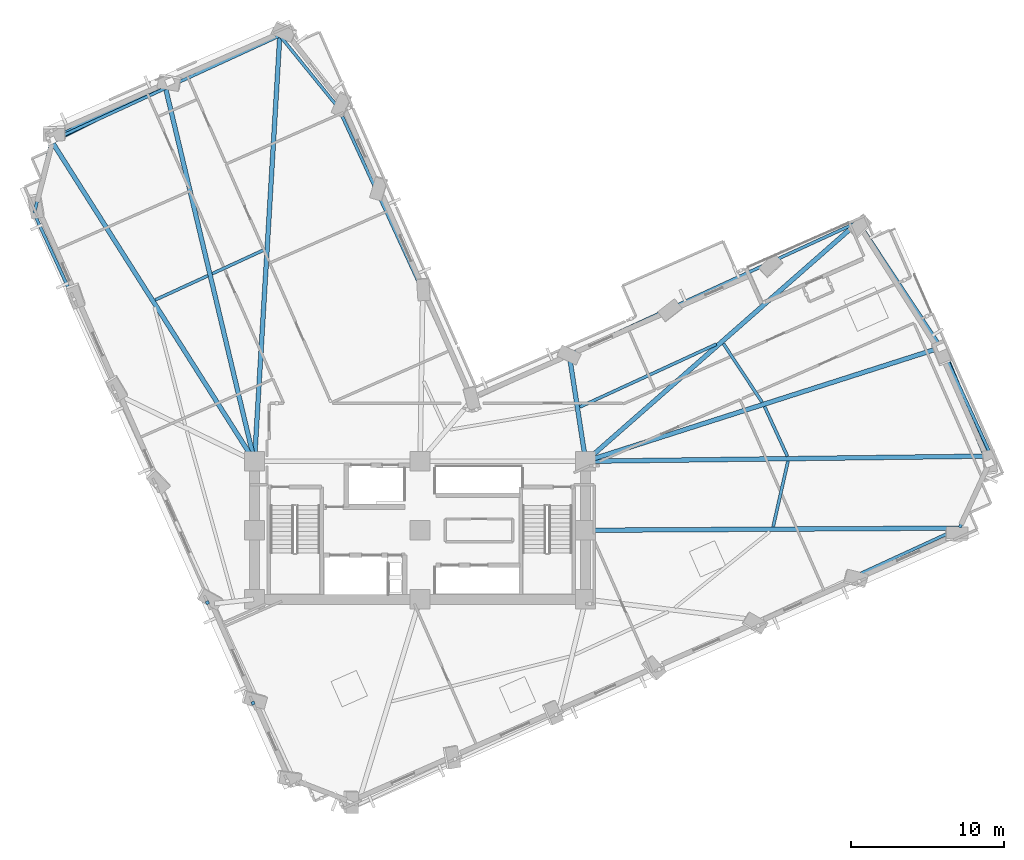
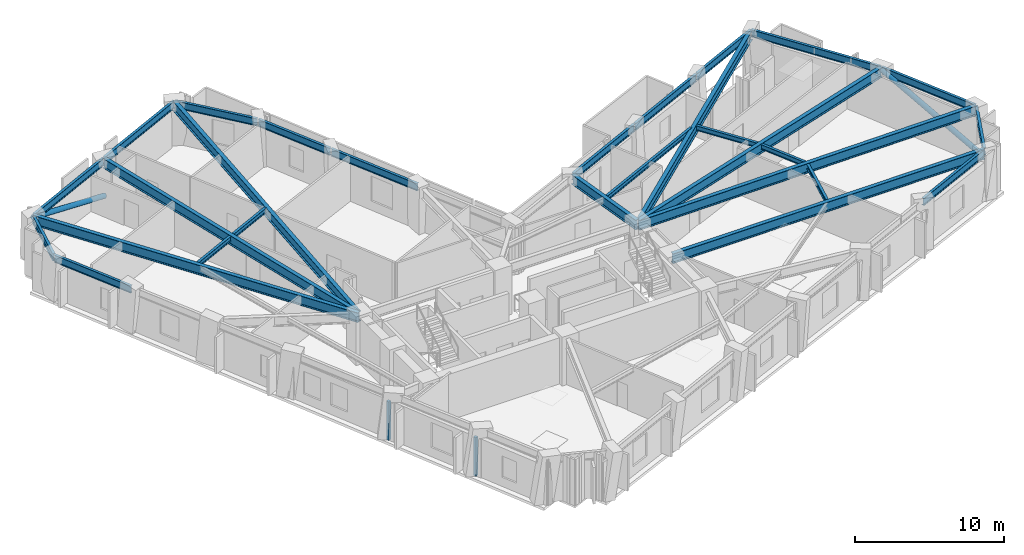
# One storey, part 2 of 15: 28 beams, 2 members, 2 plates.
"""IFC4 building model written with IfcOpenShell, lengths in metres."""

from ifc_helpers import new_model, si_unit, direction, frame, origin, origin_2d, place, context, subcontext, project, spatial, rectangle, hollow_circle, i_section, extrude, material, layer, layer_set, material_profile, profile_set, type_object, element, save


model = new_model("IFC4")

# Units and contexts
model_context = context("Model", 3, precision=1e-05, world=origin(), true_north=direction((0.0, 1.0)))
body_context = subcontext(model_context, "Body", "Model", "MODEL_VIEW")
ifc_project = project(units=[si_unit("LENGTHUNIT", "METRE"), si_unit("AREAUNIT", "SQUARE_METRE"), si_unit("VOLUMEUNIT", "CUBIC_METRE"), si_unit("PLANEANGLEUNIT", "RADIAN"), si_unit("MASSUNIT", "GRAM", prefix="KILO")], contexts=[model_context])

# Site, building, storey
site_placement = place(None, origin())
site = spatial("IfcSite", under=ifc_project, at=site_placement, CompositionType="ELEMENT")
building_placement = place(site_placement, origin())
building = spatial("IfcBuilding", under=site, at=building_placement, Name="Gaonmaruhae Medical Tower", CompositionType="ELEMENT")
storey_placement = place(building_placement, frame((0.0, 0.0, 124.39990234375)))
storey = spatial("IfcBuildingStorey", under=building, at=storey_placement, Name="L29", CompositionType="ELEMENT", Elevation=124.39990234375)

# Beams
ifc_material_1 = material(Name="Steel SM355", Category="steel")
ifc_material_profile_1 = material_profile(ifc_material_1, i_section(OverallWidth=0.199951171875, OverallDepth=0.39990234375, WebThickness=0.008056640625, FlangeThickness=0.012939453125, FilletRadius=0.012939453125, at=origin_2d()), Name="H-400x200x8x13")
ifc_profile_set_1 = profile_set([ifc_material_profile_1], Name="Steel SM355")
beam_type_1 = type_object("IfcBeamType", Name="FJ-01 Lower Zone Ward Floor Joist (H-400x200x8x13)", PredefinedType="JOIST", material=ifc_profile_set_1)
beam_1_placement = place(storey_placement, frame((47.823974609375, 12.52685546875, 3.580078125), z_axis=(0.220276217833, 0.975437536625, 0.0), x_axis=(-0.975437536625, 0.220276217833, 0.0)))
element("IfcBeam", 1, at=beam_1_placement, inside=storey, type_object=beam_type_1, Name="L29 Secondary Floor Joist FJ04", PredefinedType="JOIST", context=body_context, shape_type="SweptSolid", body=[
    extrude(i_section(OverallWidth=0.199951171875, OverallDepth=0.39990234375, WebThickness=0.008056640625, FlangeThickness=0.012939453125, FilletRadius=0.012939453125, at=origin_2d()), origin(), (0.0, 0.0, 1.0), 4.39453125),
])
beam_2_placement = place(storey_placement, frame((48.756103515625, 17.124267578125, 3.580078125), z_axis=(-0.417866127625, 0.908508612719, 0.0), x_axis=(-0.908508612719, -0.417866127625, 0.0)))
element("IfcBeam", 2, at=beam_2_placement, inside=storey, type_object=beam_type_1, Name="L29 Secondary Floor Joist FJ05", PredefinedType="JOIST", context=body_context, shape_type="SweptSolid", body=[
    extrude(i_section(OverallWidth=0.199951171875, OverallDepth=0.39990234375, WebThickness=0.008056640625, FlangeThickness=0.012939453125, FilletRadius=0.012939453125, at=origin_2d()), origin(), (0.0, 0.0, 1.0), 3.57275390625),
])
beam_3_placement = place(storey_placement, frame((47.1083984375, 20.647705078125, 3.580078125), z_axis=(-0.551811395818, 0.833968934341, 0.0), x_axis=(-0.833968934341, -0.551811395818, 0.0)))
element("IfcBeam", 3, at=beam_3_placement, inside=storey, type_object=beam_type_1, Name="L29 Secondary Floor Joist FJ06", PredefinedType="JOIST", context=body_context, shape_type="SweptSolid", body=[
    extrude(i_section(OverallWidth=0.199951171875, OverallDepth=0.39990234375, WebThickness=0.008056640625, FlangeThickness=0.012939453125, FilletRadius=0.012939453125, at=origin_2d()), origin(), (0.0, 0.0, 1.0), 4.58837890625),
])
beam_4_placement = place(storey_placement, frame((44.12548828125, 24.438232421875, 3.580078125), z_axis=(-0.908513500736, -0.417855500119, 0.0), x_axis=(0.417855500119, -0.908513500736, 0.0)))
element("IfcBeam", 4, at=beam_4_placement, inside=storey, type_object=beam_type_1, Name="L29 Secondary Floor Joist FJ07", PredefinedType="JOIST", context=body_context, shape_type="SweptSolid", body=[
    extrude(i_section(OverallWidth=0.199951171875, OverallDepth=0.39990234375, WebThickness=0.008056640625, FlangeThickness=0.012939453125, FilletRadius=0.012939453125, at=origin_2d()), origin(), (0.0, 0.0, 1.0), 9.812255859375),
])
beam_5_placement = place(storey_placement, frame((14.666015625, 30.605224609375, 3.580078125), z_axis=(-0.908516546559, -0.417848877741, 0.0), x_axis=(0.417848877741, -0.908516546559, 0.0)))
element("IfcBeam", 5, at=beam_5_placement, inside=storey, type_object=beam_type_1, Name="L29 Secondary Floor Joist FJ11", PredefinedType="JOIST", context=body_context, shape_type="SweptSolid", body=[
    extrude(i_section(OverallWidth=0.199951171875, OverallDepth=0.39990234375, WebThickness=0.008056640625, FlangeThickness=0.012939453125, FilletRadius=0.012939453125, at=origin_2d()), origin(), (0.0, 0.0, 1.0), 3.76513671875),
])
beam_6_placement = place(storey_placement, frame((10.95654296875, 28.899169921875, 3.580078125), z_axis=(-0.908510049855, -0.417863003044, 0.0), x_axis=(0.417863003044, -0.908510049855, 0.0)))
element("IfcBeam", 6, at=beam_6_placement, inside=storey, type_object=beam_type_1, Name="L29 Secondary Floor Joist FJ12", PredefinedType="JOIST", context=body_context, shape_type="SweptSolid", body=[
    extrude(i_section(OverallWidth=0.199951171875, OverallDepth=0.39990234375, WebThickness=0.008056640625, FlangeThickness=0.012939453125, FilletRadius=0.012939453125, at=origin_2d()), origin(), (0.0, 0.0, 1.0), 3.78369140625),
])

# Members
ifc_material_2 = material(Name="Steel SM420", Category="steel")
ifc_material_profile_2 = material_profile(ifc_material_2, hollow_circle(Radius=0.203125, WallThickness=0.0126953125, at=origin_2d()), Name="CHS-406.4x12.7")
ifc_profile_set_2 = profile_set([ifc_material_profile_2], Name="Steel SM420")
member_type = type_object("IfcMemberType", Name="PB-02 Perimeter Solid-Bay Tube Brace Mid (CHS-406.4x12.7)", PredefinedType="BRACE", material=ifc_profile_set_2)
member_1_placement = place(storey_placement, frame((61.923583984375, 16.668701171875, 0.25), z_axis=(-0.355016201711, 0.857563328512, 0.372221216637), x_axis=(-0.923954998492, -0.382501190536, 0.0)))
element("IfcMember", 7, at=member_1_placement, inside=storey, type_object=member_type, Name="L29 Perimeter Tube Solid-Bay Brace E01-E02", PredefinedType="BRACE", context=body_context, shape_type="SweptSolid", body=[
    extrude(hollow_circle(Radius=0.203125, WallThickness=0.0126953125, at=origin_2d()), origin(), (0.0, 0.0, 1.0), 8.81201171875),
])
member_2_placement = place(storey_placement, frame((8.476318359375, 41.550048828125, 0.25), z_axis=(-0.836774417948, -0.416588717906, 0.35533422799), x_axis=(0.445673688226, -0.895195489054, 0.0)))
element("IfcMember", 8, at=member_2_placement, inside=storey, type_object=member_type, Name="L29 Perimeter Tube Solid-Bay Brace N02-N03", PredefinedType="BRACE", context=body_context, shape_type="SweptSolid", body=[
    extrude(hollow_circle(Radius=0.203125, WallThickness=0.0126953125, at=origin_2d()), origin(), (0.0, 0.0, 1.0), 9.230712890625),
])

# Beams
ifc_material_profile_3 = material_profile(ifc_material_2, i_section(OverallWidth=0.300048828125, OverallDepth=0.800048828125, WebThickness=0.013916015625, FlangeThickness=0.02587890625, FilletRadius=0.01806640625, at=origin_2d()), Name="H-800x300x14x26")
ifc_profile_set_3 = profile_set([ifc_material_profile_3], Name="Steel SM420")
beam_type_2 = type_object("IfcBeamType", Name="PG-02 Zone 2 Radial Floor Girder (H-800x300x14x26)", PredefinedType="BEAM", material=ifc_profile_set_3)
beam_7_placement = place(storey_placement, frame((35.64990234375, 12.30029296875, 3.380126953125), z_axis=(0.999983107897, 0.005812393644, 0.0), x_axis=(-0.005812393644, 0.999983107897, 0.0)))
element("IfcBeam", 9, at=beam_7_placement, inside=storey, type_object=beam_type_2, Name="L29 Radial Primary Girder S07", PredefinedType="BEAM", context=body_context, shape_type="SweptSolid", body=[
    extrude(i_section(OverallWidth=0.300048828125, OverallDepth=0.800048828125, WebThickness=0.013916015625, FlangeThickness=0.02587890625, FilletRadius=0.01806640625, at=origin_2d()), origin(), (0.0, 0.0, 1.0), 24.278076171875),
])
beam_8_placement = place(storey_placement, frame((35.64990234375, 16.800537109375, 3.380126953125), z_axis=(0.999917702482, 0.012829195705, 0.0), x_axis=(-0.012829195705, 0.999917702482, 0.0)))
element("IfcBeam", 10, at=beam_8_placement, inside=storey, type_object=beam_type_2, Name="L29 Radial Primary Girder E01", PredefinedType="BEAM", context=body_context, shape_type="SweptSolid", body=[
    extrude(i_section(OverallWidth=0.300048828125, OverallDepth=0.800048828125, WebThickness=0.013916015625, FlangeThickness=0.02587890625, FilletRadius=0.01806640625, at=origin_2d()), origin(), (0.0, 0.0, 1.0), 26.356689453125),
])
beam_9_placement = place(storey_placement, frame((35.647705078125, 16.815185546875, 3.380126953125), z_axis=(0.95238451923, 0.304899536785, 0.0), x_axis=(-0.304899536785, 0.95238451923, 0.0)))
element("IfcBeam", 11, at=beam_9_placement, inside=storey, type_object=beam_type_2, Name="L29 Radial Primary Girder E02", PredefinedType="BEAM", context=body_context, shape_type="SweptSolid", body=[
    extrude(i_section(OverallWidth=0.300048828125, OverallDepth=0.800048828125, WebThickness=0.013916015625, FlangeThickness=0.02587890625, FilletRadius=0.01806640625, at=origin_2d()), origin(), (0.0, 0.0, 1.0), 24.254638671875),
])
beam_10_placement = place(storey_placement, frame((35.637451171875, 16.8330078125, 3.360107421875), z_axis=(0.75143295712, 0.659809450489, 0.0), x_axis=(-0.659809450489, 0.75143295712, 0.0)))
element("IfcBeam", 12, at=beam_10_placement, inside=storey, type_object=beam_type_2, Name="L29 Radial Primary Girder E03", PredefinedType="BEAM", context=body_context, shape_type="SweptSolid", body=[
    extrude(i_section(OverallWidth=0.300048828125, OverallDepth=0.800048828125, WebThickness=0.013916015625, FlangeThickness=0.02587890625, FilletRadius=0.01806640625, at=origin_2d()), origin(), (0.0, 0.0, 1.0), 23.560546875),
])
beam_11_placement = place(storey_placement, frame((35.59228515625, 16.849365234375, 3.380126953125), z_axis=(-0.152698449449, 0.988272828492, 0.0), x_axis=(-0.988272828492, -0.152698449449, 0.0)))
element("IfcBeam", 13, at=beam_11_placement, inside=storey, type_object=beam_type_2, Name="L29 Radial Primary Girder EN03", PredefinedType="BEAM", context=body_context, shape_type="SweptSolid", body=[
    extrude(i_section(OverallWidth=0.300048828125, OverallDepth=0.800048828125, WebThickness=0.013916015625, FlangeThickness=0.02587890625, FilletRadius=0.01806640625, at=origin_2d()), origin(), (0.0, 0.0, 1.0), 6.923095703125),
])
beam_12_placement = place(storey_placement, frame((14.0029296875, 16.849853515625, 3.380126953125), z_axis=(0.059407455375, 0.998233817422, 0.0), x_axis=(-0.998233817422, 0.059407455375, 0.0)))
element("IfcBeam", 14, at=beam_12_placement, inside=storey, type_object=beam_type_2, Name="L29 Radial Primary Girder N01", PredefinedType="BEAM", context=body_context, shape_type="SweptSolid", body=[
    extrude(i_section(OverallWidth=0.300048828125, OverallDepth=0.800048828125, WebThickness=0.013916015625, FlangeThickness=0.02587890625, FilletRadius=0.01806640625, at=origin_2d()), origin(), (0.0, 0.0, 1.0), 27.706787109375),
])
beam_13_placement = place(storey_placement, frame((13.988525390625, 16.8486328125, 3.380126953125), z_axis=(-0.231807773365, 0.972761613247, 0.0), x_axis=(-0.972761613247, -0.231807773365, 0.0)))
element("IfcBeam", 15, at=beam_13_placement, inside=storey, type_object=beam_type_2, Name="L29 Radial Primary Girder N02", PredefinedType="BEAM", context=body_context, shape_type="SweptSolid", body=[
    extrude(i_section(OverallWidth=0.300048828125, OverallDepth=0.800048828125, WebThickness=0.013916015625, FlangeThickness=0.02587890625, FilletRadius=0.01806640625, at=origin_2d()), origin(), (0.0, 0.0, 1.0), 24.912353515625),
])
beam_14_placement = place(storey_placement, frame((13.97314453125, 16.84228515625, 3.380126953125), z_axis=(-0.535285110325, 0.844671445394, 0.0), x_axis=(-0.844671445394, -0.535285110325, 0.0)))
element("IfcBeam", 16, at=beam_14_placement, inside=storey, type_object=beam_type_2, Name="L29 Radial Primary Girder N03", PredefinedType="BEAM", context=body_context, shape_type="SweptSolid", body=[
    extrude(i_section(OverallWidth=0.300048828125, OverallDepth=0.800048828125, WebThickness=0.013916015625, FlangeThickness=0.02587890625, FilletRadius=0.01806640625, at=origin_2d()), origin(), (0.0, 0.0, 1.0), 24.648681640625),
])
ifc_material_profile_4 = material_profile(ifc_material_1, i_section(OverallWidth=0.199951171875, OverallDepth=0.60009765625, WebThickness=0.010986328125, FlangeThickness=0.01708984375, FilletRadius=0.012939453125, at=origin_2d()), Name="H-600x200x11x17")
ifc_profile_set_4 = profile_set([ifc_material_profile_4], Name="Steel SM355")
beam_type_3 = type_object("IfcBeamType", Name="SP-01 Lower Perimeter Spandrel Beam (H-600x200x11x17)", PredefinedType="SPANDREL", material=ifc_profile_set_4)
beam_15_placement = place(storey_placement, frame((53.47265625, 9.44970703125, 3.47998046875), z_axis=(0.908512583091, 0.417857495284, 0.0), x_axis=(-0.417857495284, 0.908512583091, 0.0)))
element("IfcBeam", 17, at=beam_15_placement, inside=storey, type_object=beam_type_3, Name="L29 Perimeter Spandrel Beam S06-S07", PredefinedType="SPANDREL", context=body_context, shape_type="SweptSolid", body=[
    extrude(i_section(OverallWidth=0.199951171875, OverallDepth=0.60009765625, WebThickness=0.010986328125, FlangeThickness=0.01708984375, FilletRadius=0.012939453125, at=origin_2d()), origin(), (0.0, 0.0, 1.0), 7.119873046875),
])
beam_16_placement = place(storey_placement, frame((59.99365234375, 12.478271484375, 3.47998046875), z_axis=(0.40437709457, 0.914592349294, 0.0), x_axis=(-0.914592349294, 0.40437709457, 0.0)))
element("IfcBeam", 18, at=beam_16_placement, inside=storey, type_object=beam_type_3, Name="L29 Perimeter Spandrel Beam S07-E01", PredefinedType="SPANDREL", context=body_context, shape_type="SweptSolid", body=[
    extrude(i_section(OverallWidth=0.199951171875, OverallDepth=0.60009765625, WebThickness=0.010986328125, FlangeThickness=0.01708984375, FilletRadius=0.012939453125, at=origin_2d()), origin(), (0.0, 0.0, 1.0), 5.056396484375),
])
beam_17_placement = place(storey_placement, frame((62.037841796875, 17.175537109375, 3.47998046875), z_axis=(-0.417870633296, 0.908506540333, 0.0), x_axis=(-0.908506540333, -0.417870633296, 0.0)))
element("IfcBeam", 19, at=beam_17_placement, inside=storey, type_object=beam_type_3, Name="L29 Perimeter Spandrel Beam E01-E02", PredefinedType="SPANDREL", context=body_context, shape_type="SweptSolid", body=[
    extrude(i_section(OverallWidth=0.199951171875, OverallDepth=0.60009765625, WebThickness=0.010986328125, FlangeThickness=0.01708984375, FilletRadius=0.012939453125, at=origin_2d()), origin(), (0.0, 0.0, 1.0), 7.72021484375),
])
beam_18_placement = place(storey_placement, frame((58.77294921875, 24.259033203125, 3.47998046875), z_axis=(-0.55179739336, 0.833978199164, 0.0), x_axis=(-0.833978199164, -0.55179739336, 0.0)))
element("IfcBeam", 20, at=beam_18_placement, inside=storey, type_object=beam_type_3, Name="L29 Perimeter Spandrel Beam E02-E03", PredefinedType="SPANDREL", context=body_context, shape_type="SweptSolid", body=[
    extrude(i_section(OverallWidth=0.199951171875, OverallDepth=0.60009765625, WebThickness=0.010986328125, FlangeThickness=0.01708984375, FilletRadius=0.012939453125, at=origin_2d()), origin(), (0.0, 0.0, 1.0), 9.735107421875),
])
beam_19_placement = place(storey_placement, frame((53.3427734375, 32.394775390625, 3.460205078125), z_axis=(-0.908501096376, -0.417882468983, 0.0), x_axis=(0.417882468983, -0.908501096376, 0.0)))
element("IfcBeam", 21, at=beam_19_placement, inside=storey, type_object=beam_type_3, Name="L29 Perimeter Spandrel Beam E03-EN01", PredefinedType="SPANDREL", context=body_context, shape_type="SweptSolid", body=[
    extrude(i_section(OverallWidth=0.199951171875, OverallDepth=0.60009765625, WebThickness=0.010986328125, FlangeThickness=0.01708984375, FilletRadius=0.012939453125, at=origin_2d()), origin(), (0.0, 0.0, 1.0), 6.27001953125),
])
for number, where, z_axis, x_axis, name in (
    (22, (47.57373046875, 29.7412109375, 3.460205078125), (-0.908512583091, -0.417857495284, 0.0), (0.417857495284, -0.908512583091, 0.0), "L29 Perimeter Spandrel Beam EN01-EN02"),
    (23, (41.032470703125, 26.732666015625, 3.47998046875), (-0.908499565379, -0.417885797444, 0.0), (0.417885797444, -0.908499565379, 0.0), "L29 Perimeter Spandrel Beam EN02-EN03"),
    (24, (24.958251953125, 27.913818359375, 3.47998046875), (-0.417885797444, 0.908499565379, 0.0), (-0.908499565379, -0.417885797444, 0.0), "L29 Perimeter Spandrel Beam NE01-NE02"),
):
    element("IfcBeam", number, at=place(storey_placement, frame(where, z_axis=z_axis, x_axis=x_axis)), inside=storey, type_object=beam_type_3, Name=name, PredefinedType="SPANDREL", context=body_context, shape_type="SweptSolid", body=[
        extrude(i_section(OverallWidth=0.199951171875, OverallDepth=0.60009765625, WebThickness=0.010986328125, FlangeThickness=0.01708984375, FilletRadius=0.012939453125, at=origin_2d()), origin(), (0.0, 0.0, 1.0), 7.119873046875),
    ])
beam_20_placement = place(storey_placement, frame((21.949462890625, 34.455078125, 3.47998046875), z_axis=(-0.41784433944, 0.90851863382, 0.0), x_axis=(-0.90851863382, -0.41784433944, 0.0)))
element("IfcBeam", 25, at=beam_20_placement, inside=storey, type_object=beam_type_3, Name="L29 Perimeter Spandrel Beam NE02-NE03", PredefinedType="SPANDREL", context=body_context, shape_type="SweptSolid", body=[
    extrude(i_section(OverallWidth=0.199951171875, OverallDepth=0.60009765625, WebThickness=0.010986328125, FlangeThickness=0.01708984375, FilletRadius=0.012939453125, at=origin_2d()), origin(), (0.0, 0.0, 1.0), 5.919921875),
])
beam_21_placement = place(storey_placement, frame((19.433837890625, 39.90087890625, 3.47998046875), z_axis=(-0.630433747862, 0.776243060875, 0.0), x_axis=(-0.776243060875, -0.630433747862, 0.0)))
element("IfcBeam", 26, at=beam_21_placement, inside=storey, type_object=beam_type_3, Name="L29 Perimeter Spandrel Beam NE03-N01", PredefinedType="SPANDREL", context=body_context, shape_type="SweptSolid", body=[
    extrude(i_section(OverallWidth=0.199951171875, OverallDepth=0.60009765625, WebThickness=0.010986328125, FlangeThickness=0.01708984375, FilletRadius=0.012939453125, at=origin_2d()), origin(), (0.0, 0.0, 1.0), 5.959228515625),
])
for number, where, z_axis, x_axis, name in (
    (27, (15.615478515625, 44.541015625, 3.47998046875), (-0.908511226933, -0.417860443853, 0.0), (0.417860443853, -0.908511226933, 0.0), "L29 Perimeter Spandrel Beam N01-N02"),
    (28, (8.165771484375, 41.114501953125, 3.47998046875), (-0.908511226933, -0.417860443853, 0.0), (0.417860443853, -0.908511226933, 0.0), "L29 Perimeter Spandrel Beam N02-N03"),
):
    element("IfcBeam", number, at=place(storey_placement, frame(where, z_axis=z_axis, x_axis=x_axis)), inside=storey, type_object=beam_type_3, Name=name, PredefinedType="SPANDREL", context=body_context, shape_type="SweptSolid", body=[
        extrude(i_section(OverallWidth=0.199951171875, OverallDepth=0.60009765625, WebThickness=0.010986328125, FlangeThickness=0.01708984375, FilletRadius=0.012939453125, at=origin_2d()), origin(), (0.0, 0.0, 1.0), 8.1201171875),
    ])
beam_22_placement = place(storey_placement, frame((0.7431640625, 37.665771484375, 3.47998046875), z_axis=(-0.228787062453, -0.973476491783, 0.0), x_axis=(0.973476491783, -0.228787062453, 0.0)))
element("IfcBeam", 29, at=beam_22_placement, inside=storey, type_object=beam_type_3, Name="L29 Perimeter Spandrel Beam N03-W01", PredefinedType="SPANDREL", context=body_context, shape_type="SweptSolid", body=[
    extrude(i_section(OverallWidth=0.199951171875, OverallDepth=0.60009765625, WebThickness=0.010986328125, FlangeThickness=0.01708984375, FilletRadius=0.012939453125, at=origin_2d()), origin(), (0.0, 0.0, 1.0), 4.801025390625),
])
beam_23_placement = place(storey_placement, frame((-0.34765625, 32.9169921875, 3.47998046875), z_axis=(0.417864796583, -0.908509224927, 0.0), x_axis=(0.908509224927, 0.417864796583, 0.0)))
element("IfcBeam", 30, at=beam_23_placement, inside=storey, type_object=beam_type_3, Name="L29 Perimeter Spandrel Beam W01-W02", PredefinedType="SPANDREL", context=body_context, shape_type="SweptSolid", body=[
    extrude(i_section(OverallWidth=0.199951171875, OverallDepth=0.60009765625, WebThickness=0.010986328125, FlangeThickness=0.01708984375, FilletRadius=0.012939453125, at=origin_2d()), origin(), (0.0, 0.0, 1.0), 6.31982421875),
])

# Plates
ifc_material_3 = material(Name="Anodised aluminium 6063-T6", Category="aluminium")
ifc_layer = layer(ifc_material_3, 0.011962890625)
ifc_layer_set = layer_set([ifc_layer], Name="Anodised aluminium 6063-T6")
plate_type = type_object("IfcPlateType", Name="PP-01 Interior Partition Corner Stiffener Plate", PredefinedType="SHEET", material=ifc_layer_set)
for number, where, z_axis, x_axis, name in (
    (31, (13.906494140625, 1.029052734375, 0.0), (0.0, 0.0, 1.0), (-0.402778640011, 0.91529742005, 0.0), "L29 Partition Corner Stiffener Plate PLT-L29-JGP-PW008"),
    (32, (10.93359375, 7.58642578125, 0.0), (0.0, 0.0, 1.0), (-0.402459116407, 0.915437960553, 0.0), "L29 Partition Corner Stiffener Plate PLT-L29-JGP-PW039"),
):
    element("IfcPlate", number, at=place(storey_placement, frame(where, z_axis=z_axis, x_axis=x_axis)), inside=storey, type_object=plate_type, Name=name, PredefinedType="SHEET", context=body_context, shape_type="SweptSolid", body=[
        extrude(rectangle(XDim=0.219970703125, YDim=0.219970703125, at=origin_2d()), origin(), (0.0, 0.0, 1.0), 3.1650390625),
    ])

save(model, "model.ifc")
